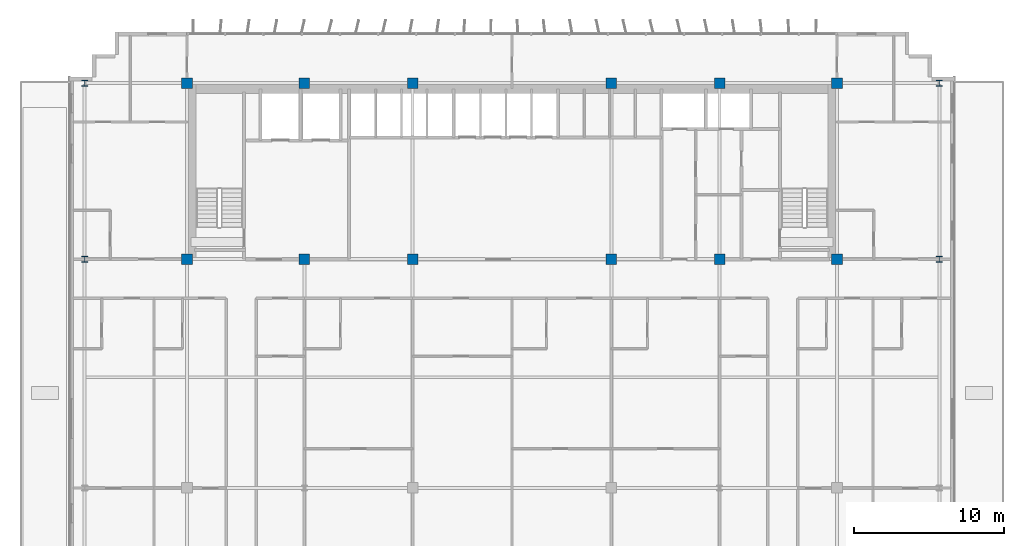
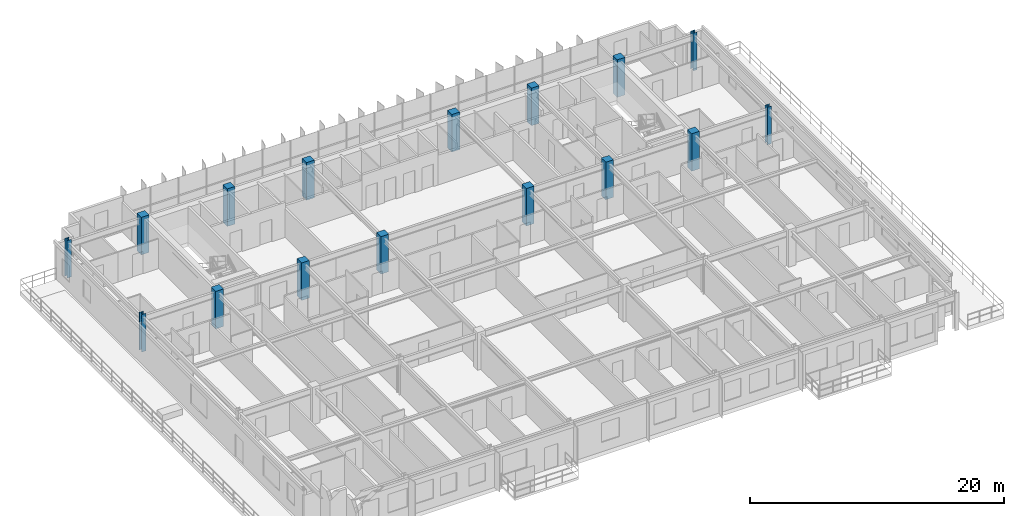
# One storey, part 2 of 22: 16 columns.
"""IFC4 building model written with IfcOpenShell, lengths in metres."""

from ifc_helpers import new_model, si_unit, direction, frame, origin, origin_2d, place, context, subcontext, project, spatial, rectangle, i_section, extrude, source, transform, mapped, material, material_profile, profile_set, type_object, element, save


model = new_model("IFC4")

# Units and contexts
model_context = context("Model", 3, precision=1e-05, world=origin(), true_north=direction((0.0, 1.0)))
body_context = subcontext(model_context, "Body", "Model", "MODEL_VIEW")
ifc_project = project(units=[si_unit("LENGTHUNIT", "METRE"), si_unit("AREAUNIT", "SQUARE_METRE"), si_unit("VOLUMEUNIT", "CUBIC_METRE"), si_unit("PLANEANGLEUNIT", "RADIAN"), si_unit("MASSUNIT", "GRAM", prefix="KILO")], contexts=[model_context])

# Site, building, storey
site_placement = place(None, origin())
site = spatial("IfcSite", under=ifc_project, at=site_placement, CompositionType="ELEMENT")
building_placement = place(site_placement, origin())
building = spatial("IfcBuilding", under=site, at=building_placement, Name="Trelvane Seafront Commons", CompositionType="ELEMENT")
storey_placement = place(building_placement, frame((0.0, 0.0, 132.10009765625)))
storey = spatial("IfcBuildingStorey", under=building, at=storey_placement, Name="L34", CompositionType="ELEMENT", Elevation=132.10009765625)

# Columns
ifc_material_1 = material(Name="Steel SM355 (S355)", Category="steel")
ifc_material_profile_1 = material_profile(ifc_material_1, i_section(OverallWidth=0.3798828125, OverallDepth=0.3798828125, WebThickness=0.02001953125, FlangeThickness=0.030029296875, at=origin_2d()), Name="HD-380x380x20x30")
ifc_profile_set_1 = profile_set([ifc_material_profile_1], Name="Steel SM355 (S355)")
column_type_1 = type_object("IfcColumnType", Name="STR-COL-HD380", PredefinedType="COLUMN", material=ifc_profile_set_1)
shared_shape_1 = source(origin(), body_context, "Body", "SweptSolid", [
    extrude(i_section(OverallWidth=0.3798828125, OverallDepth=0.3798828125, WebThickness=0.02001953125, FlangeThickness=0.030029296875, at=origin_2d()), origin(), (0.0, 0.0, 1.0), 3.599853515625),
])
for number, where, z_axis, x_axis, name in (
    (1, (8.800048828125, 33.39990234375, 0.0), (0.0, 0.0, 1.0), (1.0, 0.0, 0.0), "L34 Column TC-CS8.8"),
    (2, (8.800048828125, 45.10009765625, 0.0), (0.0, 0.0, 1.0), (1.0, 0.0, 0.0), "L34 Column TC-CN8.8"),
    (3, (65.60009765625, 33.39990234375, 0.0), (0.0, 0.0, 1.0), (1.0, 0.0, 0.0), "L34 Column TC-CS65.6"),
    (4, (65.60009765625, 45.10009765625, 0.0), (0.0, 0.0, 1.0), (1.0, 0.0, 0.0), "L34 Column TC-CN65.6"),
):
    element("IfcColumn", number, at=place(storey_placement, frame(where, z_axis=z_axis, x_axis=x_axis)), inside=storey, type_object=column_type_1, Name=name, PredefinedType="COLUMN", context=body_context, shape_type="MappedRepresentation", body=[
        mapped(shared_shape_1, transform((0.0, 0.0, 0.0), x_axis=(1.0, 0.0, 0.0), y_axis=(0.0, 1.0, 0.0), z_axis=(0.0, 0.0, 1.0), scale=1.0)),
    ])
ifc_material_2 = material(Name="Concrete C50/60", Category="concrete")
ifc_material_profile_2 = material_profile(ifc_material_2, rectangle(XDim=0.699951171875, YDim=0.699951171875, at=origin_2d()), Name="RC-700x700")
ifc_profile_set_2 = profile_set([ifc_material_profile_2], Name="Concrete C50/60")
column_type_2 = type_object("IfcColumnType", Name="STR-COL-RC700", PredefinedType="COLUMN", material=ifc_profile_set_2)
shared_shape_2 = source(origin(), body_context, "Body", "SweptSolid", [
    extrude(rectangle(XDim=0.699951171875, YDim=0.699951171875, at=origin_2d()), origin(), (0.0, 0.0, 1.0), 3.599853515625),
])
for number, where, z_axis, x_axis, name in (
    (5, (15.60009765625, 33.39990234375, 0.0), (0.0, 0.0, 1.0), (1.0, 0.0, 0.0), "L34 Column TC-CS15.6"),
    (6, (15.60009765625, 45.10009765625, 0.0), (0.0, 0.0, 1.0), (1.0, 0.0, 0.0), "L34 Column TC-CN15.6"),
    (7, (23.39990234375, 33.39990234375, 0.0), (0.0, 0.0, 1.0), (1.0, 0.0, 0.0), "L34 Column TC-CS23.4"),
    (8, (23.39990234375, 45.10009765625, 0.0), (0.0, 0.0, 1.0), (1.0, 0.0, 0.0), "L34 Column TC-CN23.4"),
    (9, (30.60009765625, 33.39990234375, 0.0), (0.0, 0.0, 1.0), (1.0, 0.0, 0.0), "L34 Column TC-CS30.6"),
    (10, (30.60009765625, 45.10009765625, 0.0), (0.0, 0.0, 1.0), (1.0, 0.0, 0.0), "L34 Column TC-CN30.6"),
    (11, (43.800048828125, 33.39990234375, 0.0), (0.0, 0.0, 1.0), (1.0, 0.0, 0.0), "L34 Column TC-CS43.8"),
    (12, (43.800048828125, 45.10009765625, 0.0), (0.0, 0.0, 1.0), (1.0, 0.0, 0.0), "L34 Column TC-CN43.8"),
    (13, (51.0, 33.39990234375, 0.0), (0.0, 0.0, 1.0), (1.0, 0.0, 0.0), "L34 Column TC-CS51.0"),
    (14, (51.0, 45.10009765625, 0.0), (0.0, 0.0, 1.0), (1.0, 0.0, 0.0), "L34 Column TC-CN51.0"),
    (15, (58.800048828125, 33.39990234375, 0.0), (0.0, 0.0, 1.0), (1.0, 0.0, 0.0), "L34 Column TC-CS58.8"),
    (16, (58.800048828125, 45.10009765625, 0.0), (0.0, 0.0, 1.0), (1.0, 0.0, 0.0), "L34 Column TC-CN58.8"),
):
    element("IfcColumn", number, at=place(storey_placement, frame(where, z_axis=z_axis, x_axis=x_axis)), inside=storey, type_object=column_type_2, Name=name, PredefinedType="COLUMN", context=body_context, shape_type="MappedRepresentation", body=[
        mapped(shared_shape_2, transform((0.0, 0.0, 0.0), x_axis=(1.0, 0.0, 0.0), y_axis=(0.0, 1.0, 0.0), z_axis=(0.0, 0.0, 1.0), scale=1.0)),
    ])

save(model, "model.ifc")
